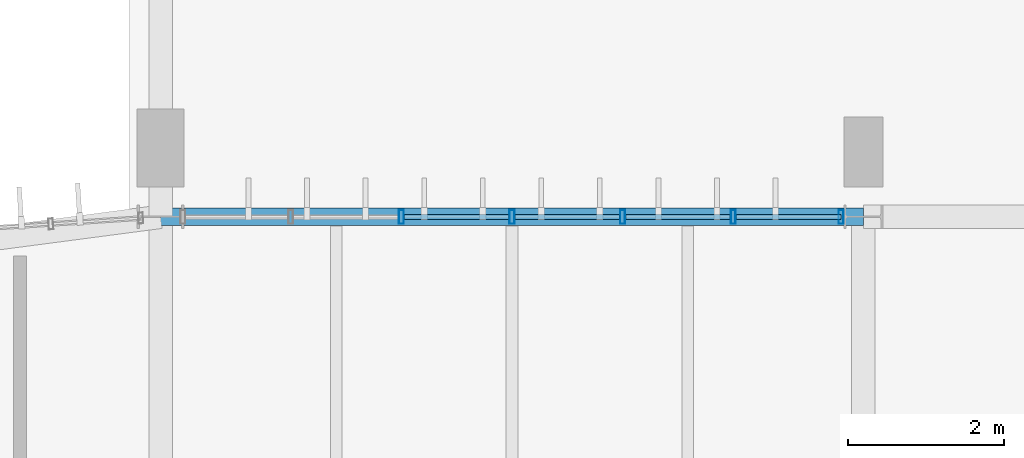
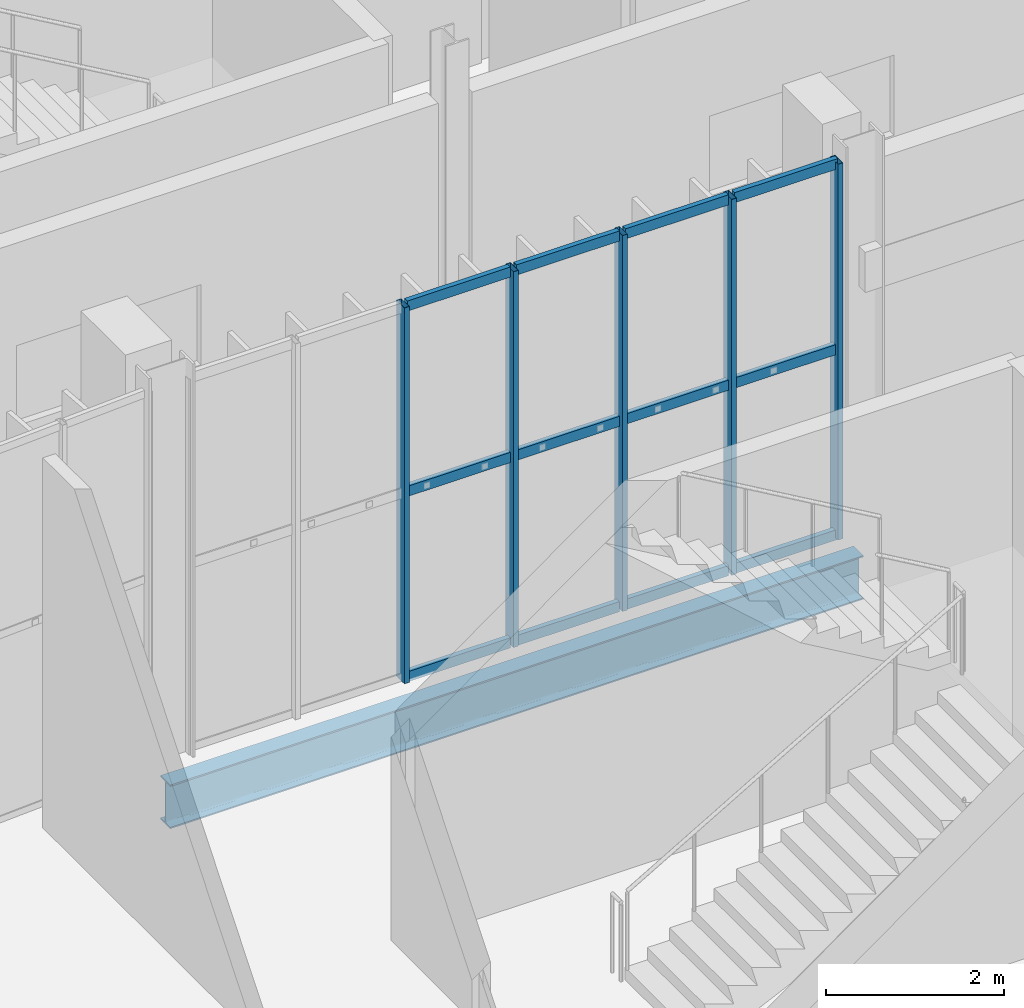
# One storey, part 62 of 158: 17 members, 1 beam, 1 element without a shape of its own.
"""IFC4 building model written with IfcOpenShell, lengths in metres."""

from ifc_helpers import new_model, si_unit, derived_unit, direction, frame, origin, origin_2d, place, context, subcontext, project, spatial, hollow_rectangle, i_section, extrude, material, material_profile, profile_set, type_object, element, aggregate, save


model = new_model("IFC4")

# Units and contexts
model_context = context("Model", 3, precision=1e-05, world=origin(), true_north=direction((0.0, 1.0)))
body_context = subcontext(model_context, "Body", "Model", "MODEL_VIEW")
ifc_project = project(units=[si_unit("LENGTHUNIT", "METRE"), si_unit("AREAUNIT", "SQUARE_METRE"), si_unit("VOLUMEUNIT", "CUBIC_METRE"), si_unit("PLANEANGLEUNIT", "RADIAN"), si_unit("MASSUNIT", "GRAM", prefix="KILO"), si_unit("THERMODYNAMICTEMPERATUREUNIT", "KELVIN"), si_unit("TIMEUNIT", "SECOND"), derived_unit("THERMALTRANSMITTANCEUNIT", [(si_unit("MASSUNIT", "GRAM", prefix="KILO"), 1), (si_unit("THERMODYNAMICTEMPERATUREUNIT", "KELVIN"), -1), (si_unit("TIMEUNIT", "SECOND"), -3)])], contexts=[model_context])

# Site, building, storey
site_placement = place(None, origin())
site = spatial("IfcSite", under=ifc_project, at=site_placement, CompositionType="ELEMENT")
building_placement = place(site_placement, origin())
building = spatial("IfcBuilding", under=site, at=building_placement, Name="Cambertide Market Hall", CompositionType="ELEMENT")
storey_placement = place(building_placement, origin())
storey = spatial("IfcBuildingStorey", under=building, at=storey_placement, Name="L01", CompositionType="ELEMENT", Elevation=0.0)

# Curtain wall, members
ifc_material_1 = material(Name="Marine Anodized Aluminium 6063-T6 AA25", Category="aluminium")
curtain_wall_type = type_object("IfcCurtainWallType", Name="Lantern Straight Lower Curtain Wall", PredefinedType="USERDEFINED", material=ifc_material_1)
curtain_wall_placement = place(storey_placement, origin())
curtain_wall = element("IfcCurtainWall", 1, at=curtain_wall_placement, inside=storey, type_object=curtain_wall_type, Name="Level 1 Curtain Wall CW-V1N-L01-1", ObjectType="UNITIZED CURTAIN WALL", PredefinedType="USERDEFINED")
ifc_material_2 = material(Name="Champagne Marine Anodized Aluminium 6063-T6 AA25", Category="aluminium")
ifc_material_profile_1 = material_profile(ifc_material_2, hollow_rectangle(XDim=0.06494140625, YDim=0.179931640625, WallThickness=0.00390625, at=origin_2d()), Name="ALU MULLION 65x180")
ifc_profile_set_1 = profile_set([ifc_material_profile_1], Name="Champagne Marine Anodized Aluminium 6063-T6 AA25")
member_type_1 = type_object("IfcMemberType", Name="Curtain Wall Mullion ALU MULLION 65x180", PredefinedType="MULLION", material=ifc_profile_set_1)
member_1_placement = place(storey_placement, frame((45.083251953125, 92.0, 0.0), z_axis=(0.0, 0.0, 1.0), x_axis=(1.0, 0.0, 0.0)))
member_1 = element("IfcMember", 2, at=member_1_placement, type_object=member_type_1, Name="CW-V1N-L01-1 Mullion 3", PredefinedType="MULLION", context=body_context, shape_type="SweptSolid", body=[
    extrude(hollow_rectangle(XDim=0.06494140625, YDim=0.179931640625, WallThickness=0.00390625, at=origin_2d()), origin(), (0.0, 0.0, 1.0), 5.159912109375),
])
member_2_placement = place(storey_placement, frame((46.5, 92.0, 0.0), z_axis=(0.0, 0.0, 1.0), x_axis=(1.0, 0.0, 0.0)))
member_2 = element("IfcMember", 3, at=member_2_placement, type_object=member_type_1, Name="CW-V1N-L01-1 Mullion 4", PredefinedType="MULLION", context=body_context, shape_type="SweptSolid", body=[
    extrude(hollow_rectangle(XDim=0.06494140625, YDim=0.179931640625, WallThickness=0.00390625, at=origin_2d()), origin(), (0.0, 0.0, 1.0), 5.159912109375),
])
member_3_placement = place(storey_placement, frame((47.916748046875, 92.0, 0.0), z_axis=(0.0, 0.0, 1.0), x_axis=(1.0, 0.0, 0.0)))
member_3 = element("IfcMember", 4, at=member_3_placement, type_object=member_type_1, Name="CW-V1N-L01-1 Mullion 5", PredefinedType="MULLION", context=body_context, shape_type="SweptSolid", body=[
    extrude(hollow_rectangle(XDim=0.06494140625, YDim=0.179931640625, WallThickness=0.00390625, at=origin_2d()), origin(), (0.0, 0.0, 1.0), 5.159912109375),
])
member_4_placement = place(storey_placement, frame((49.333251953125, 92.0, 0.0), z_axis=(0.0, 0.0, 1.0), x_axis=(1.0, 0.0, 0.0)))
member_4 = element("IfcMember", 5, at=member_4_placement, type_object=member_type_1, Name="CW-V1N-L01-1 Mullion 6", PredefinedType="MULLION", context=body_context, shape_type="SweptSolid", body=[
    extrude(hollow_rectangle(XDim=0.06494140625, YDim=0.179931640625, WallThickness=0.00390625, at=origin_2d()), origin(), (0.0, 0.0, 1.0), 5.159912109375),
])
member_5_placement = place(storey_placement, frame((50.715087890625, 92.0, 0.0), z_axis=(0.0, 0.0, 1.0), x_axis=(1.0, 0.0, 0.0)))
member_5 = element("IfcMember", 6, at=member_5_placement, type_object=member_type_1, Name="CW-V1N-L01-1 Mullion 7", PredefinedType="MULLION", context=body_context, shape_type="SweptSolid", body=[
    extrude(hollow_rectangle(XDim=0.06494140625, YDim=0.179931640625, WallThickness=0.00390625, at=origin_2d()), origin(), (0.0, 0.0, 1.0), 5.159912109375),
])
ifc_material_3 = material(Name="Champagne Marine Anodized Aluminium 6063-T6 AA25", Category="aluminium")
ifc_material_profile_2 = material_profile(ifc_material_3, hollow_rectangle(XDim=0.06494140625, YDim=0.139892578125, WallThickness=0.00341796875, at=origin_2d()), Name="ALU TRANSOM 65x140")
ifc_profile_set_2 = profile_set([ifc_material_profile_2], Name="Champagne Marine Anodized Aluminium 6063-T6 AA25")
member_type_2 = type_object("IfcMemberType", Name="Curtain Wall Transom ALU TRANSOM 65x140", PredefinedType="USERDEFINED", material=ifc_profile_set_2)
member_6_placement = place(storey_placement, frame((45.123291015625, 92.0, 0.034912109375), z_axis=(1.0, 0.0, 0.0), x_axis=(0.0, 1.0, 0.0)))
member_6 = element("IfcMember", 7, at=member_6_placement, type_object=member_type_2, Name="CW-V1N-L01-1 Transom 1-3", ObjectType="TRANSOM", PredefinedType="USERDEFINED", context=body_context, shape_type="SweptSolid", body=[
    extrude(hollow_rectangle(XDim=0.06494140625, YDim=0.139892578125, WallThickness=0.00341796875, at=origin_2d()), origin(), (0.0, 0.0, 1.0), 1.336669921875),
])
member_7_placement = place(storey_placement, frame((46.5400390625, 92.0, 0.034912109375), z_axis=(1.0, 0.0, 0.0), x_axis=(0.0, 1.0, 0.0)))
member_7 = element("IfcMember", 8, at=member_7_placement, type_object=member_type_2, Name="CW-V1N-L01-1 Transom 1-4", ObjectType="TRANSOM", PredefinedType="USERDEFINED", context=body_context, shape_type="SweptSolid", body=[
    extrude(hollow_rectangle(XDim=0.06494140625, YDim=0.139892578125, WallThickness=0.00341796875, at=origin_2d()), origin(), (0.0, 0.0, 1.0), 1.336669921875),
])
member_8_placement = place(storey_placement, frame((47.956787109375, 92.0, 0.034912109375), z_axis=(1.0, 0.0, 0.0), x_axis=(0.0, 1.0, 0.0)))
member_8 = element("IfcMember", 9, at=member_8_placement, type_object=member_type_2, Name="CW-V1N-L01-1 Transom 1-5", ObjectType="TRANSOM", PredefinedType="USERDEFINED", context=body_context, shape_type="SweptSolid", body=[
    extrude(hollow_rectangle(XDim=0.06494140625, YDim=0.139892578125, WallThickness=0.00341796875, at=origin_2d()), origin(), (0.0, 0.0, 1.0), 1.33642578125),
])
member_9_placement = place(storey_placement, frame((49.373291015625, 92.0, 0.034912109375), z_axis=(1.0, 0.0, 0.0), x_axis=(0.0, 1.0, 0.0)))
member_9 = element("IfcMember", 10, at=member_9_placement, type_object=member_type_2, Name="CW-V1N-L01-1 Transom 1-6", ObjectType="TRANSOM", PredefinedType="USERDEFINED", context=body_context, shape_type="SweptSolid", body=[
    extrude(hollow_rectangle(XDim=0.06494140625, YDim=0.139892578125, WallThickness=0.00341796875, at=origin_2d()), origin(), (0.0, 0.0, 1.0), 1.336669921875),
])
member_10_placement = place(storey_placement, frame((45.123291015625, 92.0, 2.580078125), z_axis=(1.0, 0.0, 0.0), x_axis=(0.0, 1.0, 0.0)))
member_10 = element("IfcMember", 11, at=member_10_placement, type_object=member_type_2, Name="CW-V1N-L01-1 Transom 2-3", ObjectType="TRANSOM", PredefinedType="USERDEFINED", context=body_context, shape_type="SweptSolid", body=[
    extrude(hollow_rectangle(XDim=0.06494140625, YDim=0.139892578125, WallThickness=0.00341796875, at=origin_2d()), origin(), (0.0, 0.0, 1.0), 1.336669921875),
])
member_11_placement = place(storey_placement, frame((46.5400390625, 92.0, 2.580078125), z_axis=(1.0, 0.0, 0.0), x_axis=(0.0, 1.0, 0.0)))
member_11 = element("IfcMember", 12, at=member_11_placement, type_object=member_type_2, Name="CW-V1N-L01-1 Transom 2-4", ObjectType="TRANSOM", PredefinedType="USERDEFINED", context=body_context, shape_type="SweptSolid", body=[
    extrude(hollow_rectangle(XDim=0.06494140625, YDim=0.139892578125, WallThickness=0.00341796875, at=origin_2d()), origin(), (0.0, 0.0, 1.0), 1.336669921875),
])
member_12_placement = place(storey_placement, frame((47.956787109375, 92.0, 2.580078125), z_axis=(1.0, 0.0, 0.0), x_axis=(0.0, 1.0, 0.0)))
member_12 = element("IfcMember", 13, at=member_12_placement, type_object=member_type_2, Name="CW-V1N-L01-1 Transom 2-5", ObjectType="TRANSOM", PredefinedType="USERDEFINED", context=body_context, shape_type="SweptSolid", body=[
    extrude(hollow_rectangle(XDim=0.06494140625, YDim=0.139892578125, WallThickness=0.00341796875, at=origin_2d()), origin(), (0.0, 0.0, 1.0), 1.33642578125),
])
member_13_placement = place(storey_placement, frame((49.373291015625, 92.0, 2.580078125), z_axis=(1.0, 0.0, 0.0), x_axis=(0.0, 1.0, 0.0)))
member_13 = element("IfcMember", 14, at=member_13_placement, type_object=member_type_2, Name="CW-V1N-L01-1 Transom 2-6", ObjectType="TRANSOM", PredefinedType="USERDEFINED", context=body_context, shape_type="SweptSolid", body=[
    extrude(hollow_rectangle(XDim=0.06494140625, YDim=0.139892578125, WallThickness=0.00341796875, at=origin_2d()), origin(), (0.0, 0.0, 1.0), 1.336669921875),
])
member_14_placement = place(storey_placement, frame((45.123291015625, 92.0, 5.125), z_axis=(1.0, 0.0, 0.0), x_axis=(0.0, 1.0, 0.0)))
member_14 = element("IfcMember", 15, at=member_14_placement, type_object=member_type_2, Name="CW-V1N-L01-1 Transom 3-3", ObjectType="TRANSOM", PredefinedType="USERDEFINED", context=body_context, shape_type="SweptSolid", body=[
    extrude(hollow_rectangle(XDim=0.06494140625, YDim=0.139892578125, WallThickness=0.00341796875, at=origin_2d()), origin(), (0.0, 0.0, 1.0), 1.336669921875),
])
member_15_placement = place(storey_placement, frame((46.5400390625, 92.0, 5.125), z_axis=(1.0, 0.0, 0.0), x_axis=(0.0, 1.0, 0.0)))
member_15 = element("IfcMember", 16, at=member_15_placement, type_object=member_type_2, Name="CW-V1N-L01-1 Transom 3-4", ObjectType="TRANSOM", PredefinedType="USERDEFINED", context=body_context, shape_type="SweptSolid", body=[
    extrude(hollow_rectangle(XDim=0.06494140625, YDim=0.139892578125, WallThickness=0.00341796875, at=origin_2d()), origin(), (0.0, 0.0, 1.0), 1.336669921875),
])
member_16_placement = place(storey_placement, frame((47.956787109375, 92.0, 5.125), z_axis=(1.0, 0.0, 0.0), x_axis=(0.0, 1.0, 0.0)))
member_16 = element("IfcMember", 17, at=member_16_placement, type_object=member_type_2, Name="CW-V1N-L01-1 Transom 3-5", ObjectType="TRANSOM", PredefinedType="USERDEFINED", context=body_context, shape_type="SweptSolid", body=[
    extrude(hollow_rectangle(XDim=0.06494140625, YDim=0.139892578125, WallThickness=0.00341796875, at=origin_2d()), origin(), (0.0, 0.0, 1.0), 1.33642578125),
])
member_17_placement = place(storey_placement, frame((49.373291015625, 92.0, 5.125), z_axis=(1.0, 0.0, 0.0), x_axis=(0.0, 1.0, 0.0)))
member_17 = element("IfcMember", 18, at=member_17_placement, type_object=member_type_2, Name="CW-V1N-L01-1 Transom 3-6", ObjectType="TRANSOM", PredefinedType="USERDEFINED", context=body_context, shape_type="SweptSolid", body=[
    extrude(hollow_rectangle(XDim=0.06494140625, YDim=0.139892578125, WallThickness=0.00341796875, at=origin_2d()), origin(), (0.0, 0.0, 1.0), 1.336669921875),
])
aggregate(curtain_wall, [member_1, member_2, member_3, member_4, member_5, member_6, member_7, member_8, member_9, member_10, member_11, member_12, member_13, member_14, member_15, member_16, member_17])

# Beam
ifc_material_4 = material(Name="Steel S355", Category="steel")
ifc_material_profile_3 = material_profile(ifc_material_4, i_section(OverallWidth=0.219970703125, OverallDepth=0.60009765625, WebThickness=0.011962890625, FlangeThickness=0.01904296875, FilletRadius=0.02392578125, at=origin_2d()), Name="IPE 600")
ifc_profile_set_3 = profile_set([ifc_material_profile_3], Name="Steel S355")
beam_type = type_object("IfcBeamType", Name="Steel Girder IPE 600", PredefinedType="BEAM", material=ifc_profile_set_3)
beam_placement = place(storey_placement, frame((42.0, 92.0, -0.610107421875), z_axis=(1.0, 0.0, 0.0), x_axis=(0.0, 1.0, 0.0)))
element("IfcBeam", 19, at=beam_placement, inside=storey, type_object=beam_type, Name="Level 1 Beam BM-V1N-L01-1", PredefinedType="BEAM", context=body_context, shape_type="SweptSolid", body=[
    extrude(i_section(OverallWidth=0.219970703125, OverallDepth=0.60009765625, WebThickness=0.011962890625, FlangeThickness=0.01904296875, FilletRadius=0.02392578125, at=origin_2d()), origin(), (0.0, 0.0, 1.0), 9.0),
])

save(model, "model.ifc")
